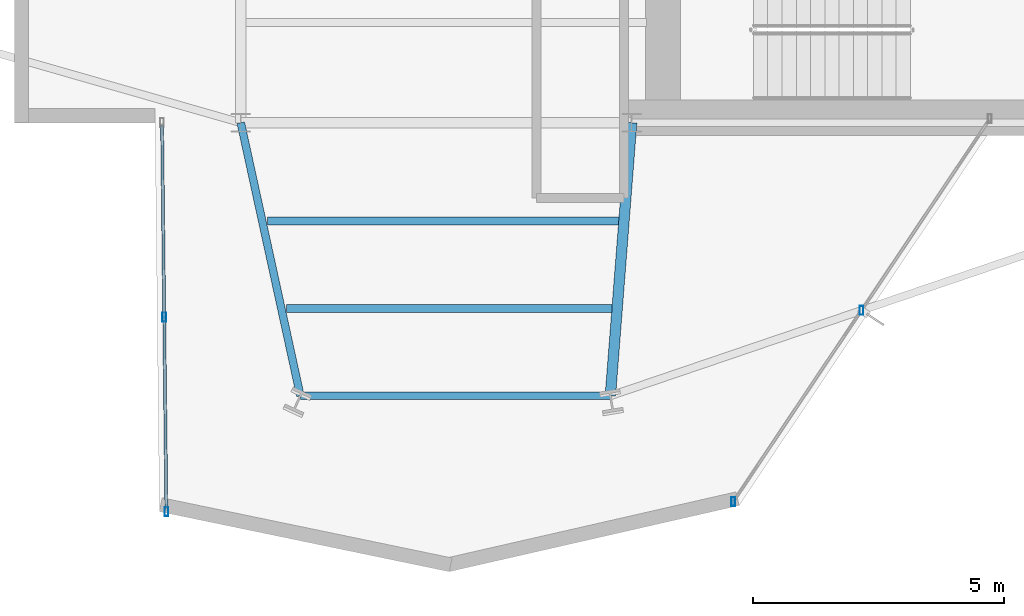
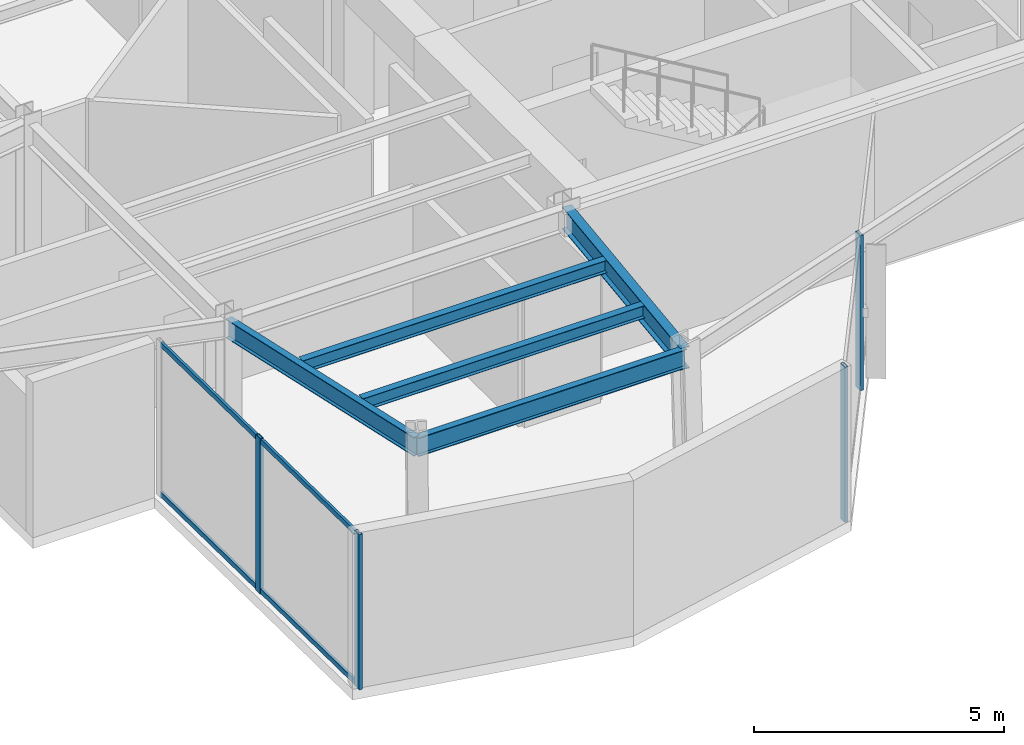
# One storey, part 6 of 21: 6 members, 5 beams, 2 elements without a shape of their own.
"""IFC4 building model written with IfcOpenShell, lengths in metres."""

from ifc_helpers import new_model, si_unit, direction, frame, origin, origin_2d, place, context, subcontext, project, spatial, hollow_rectangle, i_section, extrude, material, layer, layer_set, material_profile, profile_set, type_object, element, aggregate, save


model = new_model("IFC4")

# Units and contexts
model_context = context("Model", 3, precision=1e-05, world=origin(), true_north=direction((0.0, 1.0)))
body_context = subcontext(model_context, "Body", "Model", "MODEL_VIEW")
ifc_project = project(units=[si_unit("LENGTHUNIT", "METRE"), si_unit("AREAUNIT", "SQUARE_METRE"), si_unit("VOLUMEUNIT", "CUBIC_METRE"), si_unit("PLANEANGLEUNIT", "RADIAN"), si_unit("MASSUNIT", "GRAM", prefix="KILO")], contexts=[model_context])

# Site, building, storey
site_placement = place(None, origin())
site = spatial("IfcSite", under=ifc_project, at=site_placement, CompositionType="ELEMENT")
building_placement = place(site_placement, origin())
building = spatial("IfcBuilding", under=site, at=building_placement, Name="Veymaron Broadcast Tower", CompositionType="ELEMENT")
storey_placement = place(building_placement, frame((0.0, 0.0, 212.10009765625)))
storey = spatial("IfcBuildingStorey", under=building, at=storey_placement, Name="L49", CompositionType="ELEMENT", Elevation=212.10009765625)

# Beams
ifc_material_1 = material(Name="Structural steel ASTM A992 Gr 50", Category="steel")
ifc_material_profile_1 = material_profile(ifc_material_1, i_section(OverallWidth=0.2099609375, OverallDepth=0.537109375, WebThickness=0.010986328125, FlangeThickness=0.017333984375, at=origin_2d()), Name="W530X101")
ifc_profile_set_1 = profile_set([ifc_material_profile_1], Name="Structural steel ASTM A992 Gr 50")
beam_type_1 = type_object("IfcBeamType", Name="BM-FG3", PredefinedType="BEAM", material=ifc_profile_set_1)
beam_1_placement = place(storey_placement, frame((39.0, 16.0, 3.521484375), z_axis=(-0.077755189345, -0.996972482333, 0.0), x_axis=(0.996972482333, -0.077755189345, 0.0)))
element("IfcBeam", 1, at=beam_1_placement, inside=storey, type_object=beam_type_1, Name="L49 primary structural floor girder", PredefinedType="BEAM", context=body_context, shape_type="SweptSolid", body=[
    extrude(i_section(OverallWidth=0.2099609375, OverallDepth=0.537109375, WebThickness=0.010986328125, FlangeThickness=0.017333984375, at=origin_2d()), origin(), (0.0, 0.0, 1.0), 5.466552734375),
])
ifc_material_profile_2 = material_profile(ifc_material_1, i_section(OverallWidth=0.1650390625, OverallDepth=0.31005859375, WebThickness=0.005859375, FlangeThickness=0.009765625, at=origin_2d()), Name="W310X39")
ifc_profile_set_2 = profile_set([ifc_material_profile_2], Name="Structural steel ASTM A992 Gr 50")
beam_type_2 = type_object("IfcBeamType", Name="BM-JS3", PredefinedType="JOIST", material=ifc_profile_set_2)
beam_2_placement = place(storey_placement, frame((31.728515625, 14.0380859375, 3.635009765625), z_axis=(1.0, 0.0, 0.0), x_axis=(0.0, 1.0, 0.0)))
element("IfcBeam", 2, at=beam_2_placement, inside=storey, type_object=beam_type_2, Name="L49 Arm-C secondary joist 1", PredefinedType="JOIST", context=body_context, shape_type="SweptSolid", body=[
    extrude(i_section(OverallWidth=0.1650390625, OverallDepth=0.31005859375, WebThickness=0.005859375, FlangeThickness=0.009765625, at=origin_2d()), origin(), (0.0, 0.0, 1.0), 7.0185546875),
])
beam_3_placement = place(storey_placement, frame((32.109130859375, 12.2939453125, 3.635009765625), z_axis=(1.0, 0.0, 0.0), x_axis=(0.0, 1.0, 0.0)))
element("IfcBeam", 3, at=beam_3_placement, inside=storey, type_object=beam_type_2, Name="L49 Arm-C secondary joist 2", PredefinedType="JOIST", context=body_context, shape_type="SweptSolid", body=[
    extrude(i_section(OverallWidth=0.1650390625, OverallDepth=0.31005859375, WebThickness=0.005859375, FlangeThickness=0.009765625, at=origin_2d()), origin(), (0.0, 0.0, 1.0), 6.501953125),
])
ifc_material_profile_3 = material_profile(ifc_material_1, i_section(OverallWidth=0.154052734375, OverallDepth=0.458984375, WebThickness=0.009033203125, FlangeThickness=0.015380859375, at=origin_2d()), Name="W460X68")
ifc_profile_set_3 = profile_set([ifc_material_profile_3], Name="Structural steel ASTM A992 Gr 50")
beam_type_3 = type_object("IfcBeamType", Name="BM-SP2", PredefinedType="SPANDREL", material=ifc_profile_set_3)
beam_4_placement = place(storey_placement, frame((31.199951171875, 16.0, 3.560302734375), z_axis=(0.21331443187, -0.976983599226, 0.0), x_axis=(0.976983599226, 0.21331443187, 0.0)))
element("IfcBeam", 4, at=beam_4_placement, inside=storey, type_object=beam_type_3, Name="L49 primary structural floor girder", PredefinedType="SPANDREL", context=body_context, shape_type="SweptSolid", body=[
    extrude(i_section(OverallWidth=0.154052734375, OverallDepth=0.458984375, WebThickness=0.009033203125, FlangeThickness=0.015380859375, at=origin_2d()), origin(), (0.0, 0.0, 1.0), 5.578369140625),
])
beam_5_placement = place(storey_placement, frame((32.389892578125, 10.550048828125, 3.560302734375), z_axis=(1.0, 0.0, 0.0), x_axis=(0.0, 1.0, 0.0)))
element("IfcBeam", 5, at=beam_5_placement, inside=storey, type_object=beam_type_3, Name="L49 primary structural floor girder", PredefinedType="SPANDREL", context=body_context, shape_type="SweptSolid", body=[
    extrude(i_section(OverallWidth=0.154052734375, OverallDepth=0.458984375, WebThickness=0.009033203125, FlangeThickness=0.015380859375, at=origin_2d()), origin(), (0.0, 0.0, 1.0), 6.18505859375),
])

# Curtain wall, members
ifc_material_2 = material(Name="Anodised aluminium AA 6063-T6 and laminated low-E dark glass", Category="aluminium")
ifc_layer = layer(ifc_material_2, 0.179931640625)
ifc_layer_set = layer_set([ifc_layer], Name="Anodised aluminium AA 6063-T6 and laminated low-E dark glass")
curtain_wall_type = type_object("IfcCurtainWallType", Name="CW-SYS-05", PredefinedType="NOTDEFINED", material=ifc_layer_set)
curtain_wall_1_placement = place(storey_placement, origin())
curtain_wall_1 = element("IfcCurtainWall", 6, at=curtain_wall_1_placement, inside=storey, type_object=curtain_wall_type, Name="L49 dark-glass curtain wall CW-L49-E17-1", PredefinedType="NOTDEFINED")
ifc_material_3 = material(Name="Anodised aluminium AA 6063-T6", Category="aluminium")
ifc_material_profile_4 = material_profile(ifc_material_3, hollow_rectangle(XDim=0.074951171875, YDim=0.179931640625, WallThickness=0.0048828125, at=origin_2d()), Name="AL180X75X5")
ifc_profile_set_4 = profile_set([ifc_material_profile_4], Name="Anodised aluminium AA 6063-T6")
member_type_1 = type_object("IfcMemberType", Name="CW-MUL-02", PredefinedType="MULLION", material=ifc_profile_set_4)
member_1_placement = place(storey_placement, frame((29.672119140625, 12.12158203125, 0.0), z_axis=(0.0, 0.0, 1.0), x_axis=(1.0, 0.0, 0.0)))
member_1 = element("IfcMember", 7, at=member_1_placement, type_object=member_type_1, Name="CW-L49-E17-1 mullion 1", PredefinedType="MULLION", context=body_context, shape_type="SweptSolid", body=[
    extrude(hollow_rectangle(XDim=0.074951171875, YDim=0.179931640625, WallThickness=0.0048828125, at=origin_2d()), origin(), (0.0, 0.0, 1.0), 3.789794921875),
])
member_2_placement = place(storey_placement, frame((29.715576171875, 8.24169921875, 0.0), z_axis=(0.0, 0.0, 1.0), x_axis=(1.0, 0.0, 0.0)))
member_2 = element("IfcMember", 8, at=member_2_placement, type_object=member_type_1, Name="CW-L49-E17-1 mullion 2", PredefinedType="MULLION", context=body_context, shape_type="SweptSolid", body=[
    extrude(hollow_rectangle(XDim=0.074951171875, YDim=0.179931640625, WallThickness=0.0048828125, at=origin_2d()), origin(), (0.0, 0.0, 1.0), 3.789794921875),
])

curtain_wall_2_placement = place(storey_placement, origin())
curtain_wall_2 = element("IfcCurtainWall", 9, at=curtain_wall_2_placement, inside=storey, type_object=curtain_wall_type, Name="L49 dark-glass curtain wall CW-L49-E20-1", PredefinedType="NOTDEFINED")
member_3_placement = place(storey_placement, frame((41.0283203125, 8.43798828125, 0.0), z_axis=(0.0, 0.0, 1.0), x_axis=(1.0, 0.0, 0.0)))
member_3 = element("IfcMember", 10, at=member_3_placement, type_object=member_type_1, Name="CW-L49-E20-1 mullion 0", PredefinedType="MULLION", context=body_context, shape_type="SweptSolid", body=[
    extrude(hollow_rectangle(XDim=0.074951171875, YDim=0.179931640625, WallThickness=0.0048828125, at=origin_2d()), origin(), (0.0, 0.0, 1.0), 3.789794921875),
])
member_4_placement = place(storey_placement, frame((43.587890625, 12.2578125, 0.0), z_axis=(0.0, 0.0, 1.0), x_axis=(1.0, 0.0, 0.0)))
member_4 = element("IfcMember", 11, at=member_4_placement, type_object=member_type_1, Name="CW-L49-E20-1 mullion 1", PredefinedType="MULLION", context=body_context, shape_type="SweptSolid", body=[
    extrude(hollow_rectangle(XDim=0.074951171875, YDim=0.179931640625, WallThickness=0.0048828125, at=origin_2d()), origin(), (0.0, 0.0, 1.0), 3.789794921875),
])
aggregate(curtain_wall_2, [member_3, member_4])

# Member
ifc_material_profile_5 = material_profile(ifc_material_3, hollow_rectangle(XDim=0.06005859375, YDim=0.1201171875, WallThickness=0.00390625, at=origin_2d()), Name="AL120X60X4")
ifc_profile_set_5 = profile_set([ifc_material_profile_5], Name="Anodised aluminium AA 6063-T6")
member_type_2 = type_object("IfcMemberType", Name="CW-TRN-02", PredefinedType="USERDEFINED", material=ifc_profile_set_5)
member_5_placement = place(storey_placement, frame((29.62939453125, 15.95166015625, 0.06982421875), z_axis=(0.011154328977, -0.999937788537, 0.0), x_axis=(0.999937788537, 0.011154328977, 0.0)))
member_5 = element("IfcMember", 12, at=member_5_placement, type_object=member_type_2, Name="CW-L49-E17-1 transom B", ObjectType="TRANSOM", PredefinedType="USERDEFINED", context=body_context, shape_type="SweptSolid", body=[
    extrude(hollow_rectangle(XDim=0.06005859375, YDim=0.1201171875, WallThickness=0.00390625, at=origin_2d()), origin(), (0.0, 0.0, 1.0), 7.66064453125),
])

member_6_placement = place(storey_placement, frame((29.62939453125, 15.95166015625, 3.719970703125), z_axis=(0.011154328977, -0.999937788537, 0.0), x_axis=(0.999937788537, 0.011154328977, 0.0)))
member_6 = element("IfcMember", 13, at=member_6_placement, type_object=member_type_2, Name="CW-L49-E17-1 transom T", ObjectType="TRANSOM", PredefinedType="USERDEFINED", context=body_context, shape_type="SweptSolid", body=[
    extrude(hollow_rectangle(XDim=0.06005859375, YDim=0.1201171875, WallThickness=0.00390625, at=origin_2d()), origin(), (0.0, 0.0, 1.0), 7.66064453125),
])

aggregate(curtain_wall_1, [member_1, member_2, member_5, member_6])

save(model, "model.ifc")
